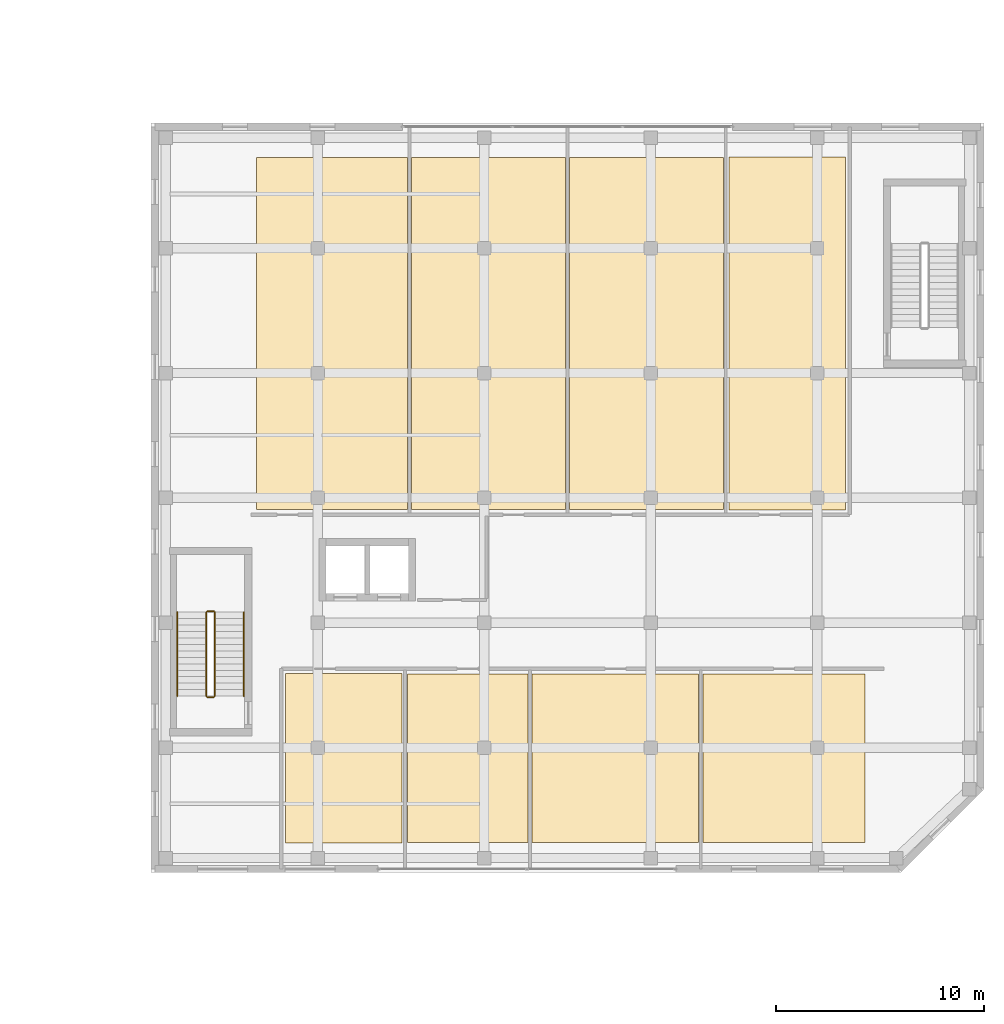
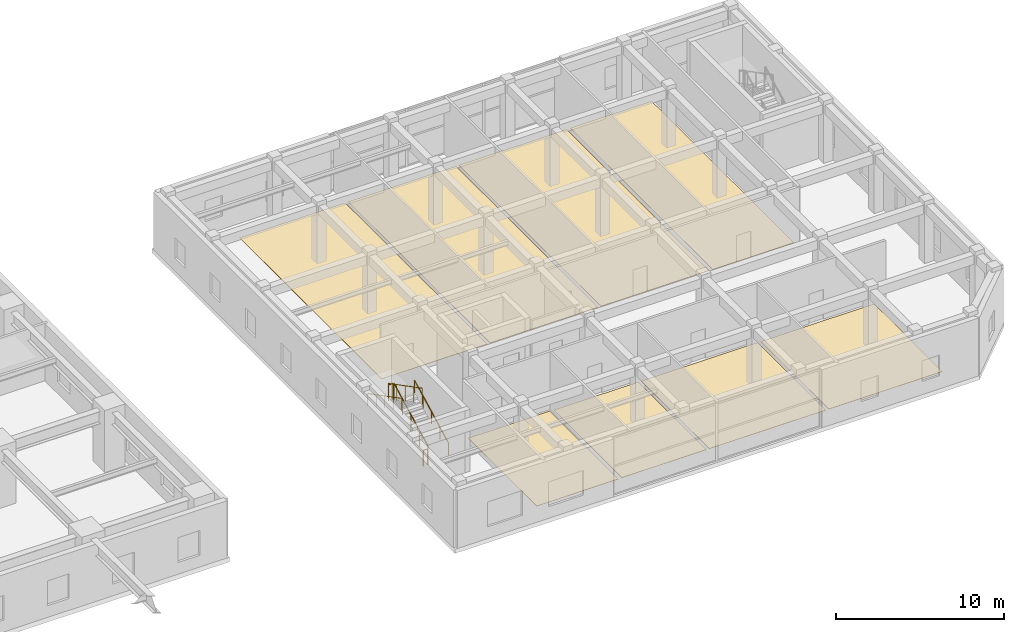
# One storey, part 27 of 28: 8 coverings, 6 railings.
"""IFC4 building model written with IfcOpenShell, lengths in metres."""

from ifc_helpers import new_model, si_unit, direction, frame, origin, origin_2d, place, context, subcontext, project, spatial, polyline, circle, outline, extrude, material, layer, layer_set, type_object, element, save


model = new_model("IFC4")

# Units and contexts
model_context = context("Model", 3, precision=1e-05, world=origin(), true_north=direction((0.0, 1.0)))
body_context = subcontext(model_context, "Body", "Model", "MODEL_VIEW")
ifc_project = project(units=[si_unit("LENGTHUNIT", "METRE"), si_unit("AREAUNIT", "SQUARE_METRE"), si_unit("VOLUMEUNIT", "CUBIC_METRE"), si_unit("PLANEANGLEUNIT", "RADIAN"), si_unit("MASSUNIT", "GRAM", prefix="KILO")], contexts=[model_context])

# Site, building, storey
site_placement = place(None, origin())
site = spatial("IfcSite", under=ifc_project, at=site_placement, CompositionType="ELEMENT")
building_placement = place(site_placement, origin())
building = spatial("IfcBuilding", under=site, at=building_placement, Name="Khoralis Quay Care Tower", CompositionType="ELEMENT")
storey_placement = place(building_placement, frame((0.0, 0.0, 9.0)))
storey = spatial("IfcBuildingStorey", under=building, at=storey_placement, Name="L02", CompositionType="ELEMENT", Elevation=9.0)

# Coverings
ifc_material_1 = material(Name="Porcelain and non-slip vinyl flooring")
ifc_layer = layer(ifc_material_1, 0.02001953125)
ifc_layer_set = layer_set([ifc_layer], Name="Porcelain and non-slip vinyl flooring")
covering_type = type_object("IfcCoveringType", Name="COV-FLOOR-20", PredefinedType="FLOORING", material=ifc_layer_set)
covering_1_placement = place(storey_placement, origin())
element("IfcCovering", 1, at=covering_1_placement, inside=storey, type_object=covering_type, Name="Resilient Healthcare Flooring SP-L02-SCS-0", PredefinedType="FLOORING", context=body_context, shape_type="SweptSolid", body=[
    extrude(outline(polyline([(74.43994140625, 7.429931640625), (80.0400390625, 7.429931640625), (80.0400390625, 15.570068359375), (74.43994140625, 15.570068359375), (74.43994140625, 7.429931640625)])), origin(), (0.0, 0.0, 1.0), 0.02001953125),
])
covering_2_placement = place(storey_placement, origin())
element("IfcCovering", 2, at=covering_2_placement, inside=storey, type_object=covering_type, Name="Resilient Healthcare Flooring SP-L02-SCS-1", PredefinedType="FLOORING", context=body_context, shape_type="SweptSolid", body=[
    extrude(outline(polyline([(80.300048828125, 7.449951171875), (86.10009765625, 7.449951171875), (86.10009765625, 15.550048828125), (80.300048828125, 15.550048828125), (80.300048828125, 7.449951171875)])), origin(), (0.0, 0.0, 1.0), 0.02001953125),
])
covering_3_placement = place(storey_placement, origin())
element("IfcCovering", 3, at=covering_3_placement, inside=storey, type_object=covering_type, Name="Resilient Healthcare Flooring SP-L02-SCS-2", PredefinedType="FLOORING", context=body_context, shape_type="SweptSolid", body=[
    extrude(outline(polyline([(86.300048828125, 7.449951171875), (94.300048828125, 7.449951171875), (94.300048828125, 15.550048828125), (86.300048828125, 15.550048828125), (86.300048828125, 7.449951171875)])), origin(), (0.0, 0.0, 1.0), 0.02001953125),
])
covering_4_placement = place(storey_placement, origin())
element("IfcCovering", 4, at=covering_4_placement, inside=storey, type_object=covering_type, Name="Resilient Healthcare Flooring SP-L02-SCS-3", PredefinedType="FLOORING", context=body_context, shape_type="SweptSolid", body=[
    extrude(outline(polyline([(94.5, 7.449951171875), (102.300048828125, 7.449951171875), (102.300048828125, 15.550048828125), (94.5, 15.550048828125), (94.5, 7.449951171875)])), origin(), (0.0, 0.0, 1.0), 0.02001953125),
])
covering_5_placement = place(storey_placement, origin())
element("IfcCovering", 5, at=covering_5_placement, inside=storey, type_object=covering_type, Name="Resilient Healthcare Flooring SP-L02-SCN-0", PredefinedType="FLOORING", context=body_context, shape_type="SweptSolid", body=[
    extrude(outline(polyline([(73.050048828125, 23.449951171875), (80.300048828125, 23.449951171875), (80.300048828125, 40.35009765625), (73.050048828125, 40.35009765625), (73.050048828125, 23.449951171875)])), origin(), (0.0, 0.0, 1.0), 0.02001953125),
])
covering_6_placement = place(storey_placement, origin())
element("IfcCovering", 6, at=covering_6_placement, inside=storey, type_object=covering_type, Name="Resilient Healthcare Flooring SP-L02-SCN-1", PredefinedType="FLOORING", context=body_context, shape_type="SweptSolid", body=[
    extrude(outline(polyline([(80.5, 23.449951171875), (87.89990234375, 23.449951171875), (87.89990234375, 40.35009765625), (80.5, 40.35009765625), (80.5, 23.449951171875)])), origin(), (0.0, 0.0, 1.0), 0.02001953125),
])
covering_7_placement = place(storey_placement, origin())
element("IfcCovering", 7, at=covering_7_placement, inside=storey, type_object=covering_type, Name="Resilient Healthcare Flooring SP-L02-SCN-2", PredefinedType="FLOORING", context=body_context, shape_type="SweptSolid", body=[
    extrude(outline(polyline([(88.10009765625, 23.449951171875), (95.5, 23.449951171875), (95.5, 40.35009765625), (88.10009765625, 40.35009765625), (88.10009765625, 23.449951171875)])), origin(), (0.0, 0.0, 1.0), 0.02001953125),
])
covering_8_placement = place(storey_placement, origin())
element("IfcCovering", 8, at=covering_8_placement, inside=storey, type_object=covering_type, Name="Resilient Healthcare Flooring SP-L02-SCN-3", PredefinedType="FLOORING", context=body_context, shape_type="SweptSolid", body=[
    extrude(outline(polyline([(95.760009765625, 23.429931640625), (101.340087890625, 23.429931640625), (101.340087890625, 40.3701171875), (95.760009765625, 40.3701171875), (95.760009765625, 23.429931640625)])), origin(), (0.0, 0.0, 1.0), 0.02001953125),
])

# Railings
ifc_material_2 = material(Name="Brushed stainless steel", Category="steel")
railing_type_1 = type_object("IfcRailingType", Name="RL-GUARD-1150", PredefinedType="GUARDRAIL", material=ifc_material_2)
railing_1_placement = place(storey_placement, frame((71.050048828125, 14.47998046875, 0.16064453125)))
element("IfcRailing", 9, at=railing_1_placement, inside=storey, type_object=railing_type_1, Name="L02 ST-S1 stair guard 1", PredefinedType="GUARDRAIL", context=body_context, shape_type="SweptSolid", body=[
    extrude(circle(Radius=0.02392578125, at=origin_2d()), frame((0.0, 0.0, 1.1259765625), z_axis=(0.0, 0.887780577991, 0.46026692836), x_axis=(-1.0, 0.0, 0.0)), (0.0, 0.0, 1.0), 4.53955078125),
    extrude(circle(Radius=0.02099609375, at=origin_2d()), origin(), (0.0, 0.0, 1.0), 1.101806640625),
    extrude(circle(Radius=0.02099609375, at=origin_2d()), frame((0.0, 1.007568359375, 0.5224609375)), (0.0, 0.0, 1.0), 1.101806640625),
    extrude(circle(Radius=0.02099609375, at=origin_2d()), frame((0.0, 2.01513671875, 1.044677734375)), (0.0, 0.0, 1.0), 1.101806640625),
    extrude(circle(Radius=0.02099609375, at=origin_2d()), frame((0.0, 3.0224609375, 1.56689453125)), (0.0, 0.0, 1.0), 1.101806640625),
    extrude(circle(Radius=0.02099609375, at=origin_2d()), frame((0.0, 4.030029296875, 2.08935546875)), (0.0, 0.0, 1.0), 1.101806640625),
])
railing_2_placement = place(storey_placement, frame((71.0, 18.56005859375, 2.25)))
element("IfcRailing", 10, at=railing_2_placement, inside=storey, type_object=railing_type_1, Name="L02 ST-S1 stair guard 2", PredefinedType="GUARDRAIL", context=body_context, shape_type="SweptSolid", body=[
    extrude(circle(Radius=0.02392578125, at=origin_2d()), frame((0.0, 0.0, 1.1259765625), z_axis=(-1.0, 0.0, 0.0), x_axis=(0.0, -1.0, 0.0)), (0.0, 0.0, 1.0), 0.300048828125),
    extrude(circle(Radius=0.02099609375, at=origin_2d()), origin(), (0.0, 0.0, 1.0), 1.101806640625),
    extrude(circle(Radius=0.02099609375, at=origin_2d()), frame((-0.300048828125, 0.0, 0.0)), (0.0, 0.0, 1.0), 1.101806640625),
])
railing_3_placement = place(storey_placement, frame((70.64990234375, 18.510009765625, 2.41064453125)))
element("IfcRailing", 11, at=railing_3_placement, inside=storey, type_object=railing_type_1, Name="L02 ST-S1 stair guard 3", PredefinedType="GUARDRAIL", context=body_context, shape_type="SweptSolid", body=[
    extrude(circle(Radius=0.02392578125, at=origin_2d()), frame((0.0, 0.0, 1.1259765625), z_axis=(0.0, -0.887780577991, 0.46026692836), x_axis=(1.0, 0.0, 0.0)), (0.0, 0.0, 1.0), 4.53955078125),
    extrude(circle(Radius=0.02099609375, at=origin_2d()), origin(), (0.0, 0.0, 1.0), 1.101806640625),
    extrude(circle(Radius=0.02099609375, at=origin_2d()), frame((0.0, -1.007568359375, 0.5224609375)), (0.0, 0.0, 1.0), 1.101806640625),
    extrude(circle(Radius=0.02099609375, at=origin_2d()), frame((0.0, -2.01513671875, 1.044677734375)), (0.0, 0.0, 1.0), 1.101806640625),
    extrude(circle(Radius=0.02099609375, at=origin_2d()), frame((0.0, -3.0224609375, 1.56689453125)), (0.0, 0.0, 1.0), 1.101806640625),
    extrude(circle(Radius=0.02099609375, at=origin_2d()), frame((0.0, -4.030029296875, 2.08935546875)), (0.0, 0.0, 1.0), 1.101806640625),
])
railing_4_placement = place(storey_placement, frame((71.0, 14.429931640625, 0.0)))
element("IfcRailing", 12, at=railing_4_placement, inside=storey, type_object=railing_type_1, Name="L02 ST-S1 stair guard 4", PredefinedType="GUARDRAIL", context=body_context, shape_type="SweptSolid", body=[
    extrude(circle(Radius=0.02392578125, at=origin_2d()), frame((0.0, 0.0, 1.1259765625), z_axis=(-1.0, 0.0, 0.0), x_axis=(0.0, -1.0, 0.0)), (0.0, 0.0, 1.0), 0.300048828125),
    extrude(circle(Radius=0.02099609375, at=origin_2d()), origin(), (0.0, 0.0, 1.0), 1.101806640625),
    extrude(circle(Radius=0.02099609375, at=origin_2d()), frame((-0.300048828125, 0.0, 0.0)), (0.0, 0.0, 1.0), 1.101806640625),
])
railing_type_2 = type_object("IfcRailingType", Name="RL-HAND-900", PredefinedType="HANDRAIL", material=ifc_material_2)
railing_5_placement = place(storey_placement, frame((72.449951171875, 14.47998046875, 0.16064453125)))
element("IfcRailing", 13, at=railing_5_placement, inside=storey, type_object=railing_type_2, Name="L02 ST-S1 stair handrail 1", PredefinedType="HANDRAIL", context=body_context, shape_type="SweptSolid", body=[
    extrude(circle(Radius=0.02392578125, at=origin_2d()), frame((0.0, 0.0, 0.8759765625), z_axis=(0.0, 0.887780577991, 0.46026692836), x_axis=(-1.0, 0.0, 0.0)), (0.0, 0.0, 1.0), 4.53955078125),
    extrude(circle(Radius=0.02099609375, at=origin_2d()), origin(), (0.0, 0.0, 1.0), 0.851806640625),
    extrude(circle(Radius=0.02099609375, at=origin_2d()), frame((0.0, 1.007568359375, 0.5224609375)), (0.0, 0.0, 1.0), 0.851806640625),
    extrude(circle(Radius=0.02099609375, at=origin_2d()), frame((0.0, 2.01513671875, 1.044677734375)), (0.0, 0.0, 1.0), 0.851806640625),
    extrude(circle(Radius=0.02099609375, at=origin_2d()), frame((0.0, 3.0224609375, 1.56689453125)), (0.0, 0.0, 1.0), 0.851806640625),
    extrude(circle(Radius=0.02099609375, at=origin_2d()), frame((0.0, 4.030029296875, 2.08935546875)), (0.0, 0.0, 1.0), 0.851806640625),
])
railing_6_placement = place(storey_placement, frame((69.25, 18.510009765625, 2.41064453125)))
element("IfcRailing", 14, at=railing_6_placement, inside=storey, type_object=railing_type_2, Name="L02 ST-S1 stair handrail 2", PredefinedType="HANDRAIL", context=body_context, shape_type="SweptSolid", body=[
    extrude(circle(Radius=0.02392578125, at=origin_2d()), frame((0.0, 0.0, 0.8759765625), z_axis=(0.0, -0.887780577991, 0.46026692836), x_axis=(1.0, 0.0, 0.0)), (0.0, 0.0, 1.0), 4.53955078125),
    extrude(circle(Radius=0.02099609375, at=origin_2d()), origin(), (0.0, 0.0, 1.0), 0.851806640625),
    extrude(circle(Radius=0.02099609375, at=origin_2d()), frame((0.0, -1.007568359375, 0.5224609375)), (0.0, 0.0, 1.0), 0.851806640625),
    extrude(circle(Radius=0.02099609375, at=origin_2d()), frame((0.0, -2.01513671875, 1.044677734375)), (0.0, 0.0, 1.0), 0.851806640625),
    extrude(circle(Radius=0.02099609375, at=origin_2d()), frame((0.0, -3.0224609375, 1.56689453125)), (0.0, 0.0, 1.0), 0.851806640625),
    extrude(circle(Radius=0.02099609375, at=origin_2d()), frame((0.0, -4.030029296875, 2.08935546875)), (0.0, 0.0, 1.0), 0.851806640625),
])

save(model, "model.ifc")
